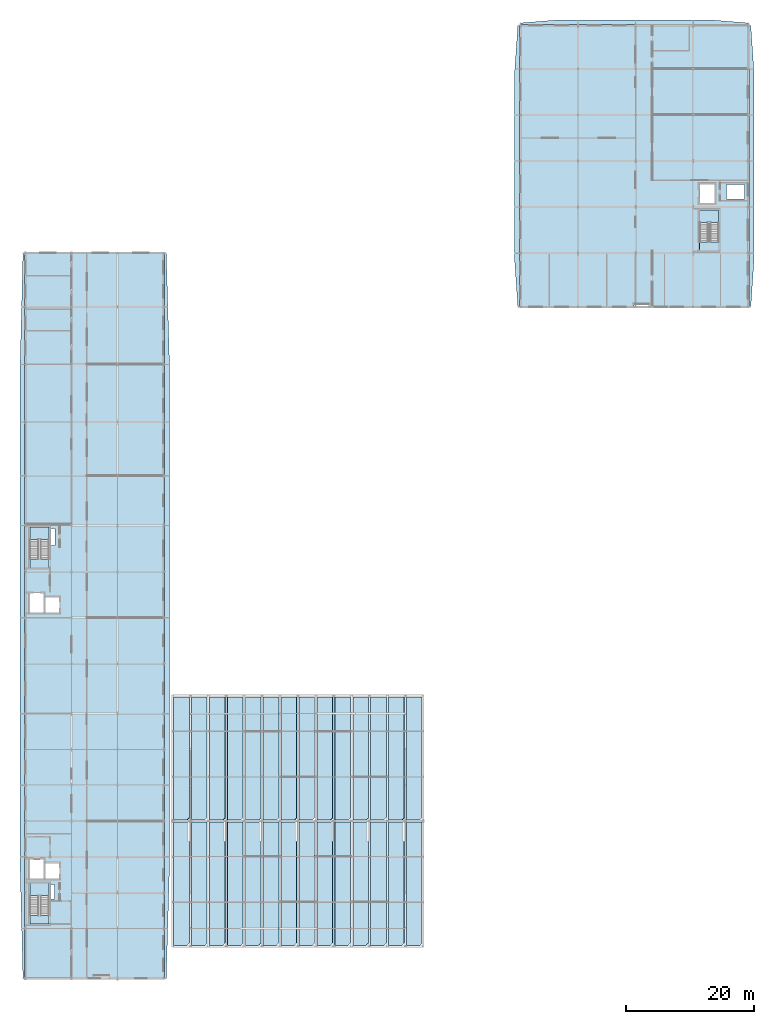
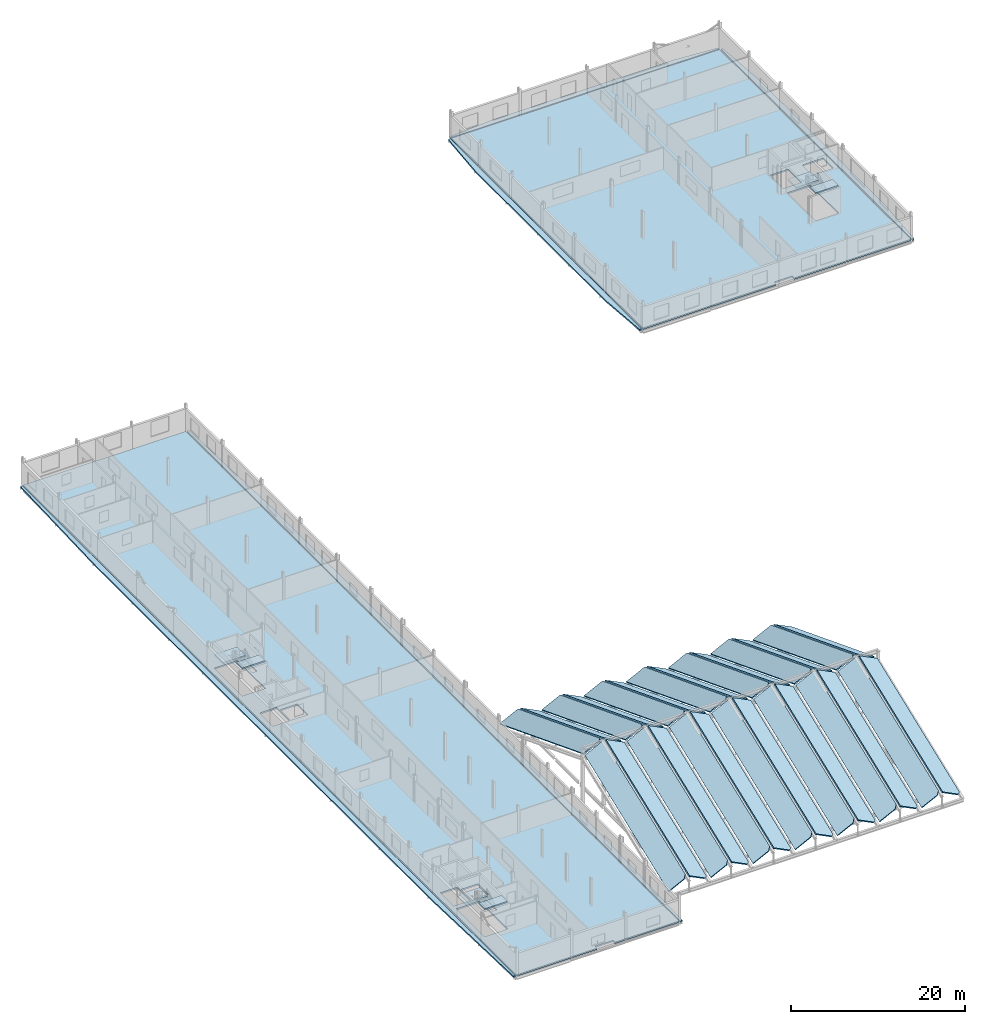
# One storey, part 29 of 49: 41 slabs, 3 elements without a shape of their own.
"""IFC4 building model written with IfcOpenShell, lengths in metres."""

from ifc_helpers import new_model, si_unit, direction, frame, origin, place, context, subcontext, project, spatial, polyline, outline, extrude, material, layer, layer_set, type_object, element, aggregate, save


model = new_model("IFC4")

# Units and contexts
model_context = context("Model", 3, precision=1e-05, world=origin(), true_north=direction((0.0, 1.0)))
body_context = subcontext(model_context, "Body", "Model", "MODEL_VIEW")
ifc_project = project(units=[si_unit("LENGTHUNIT", "METRE"), si_unit("AREAUNIT", "SQUARE_METRE"), si_unit("VOLUMEUNIT", "CUBIC_METRE"), si_unit("PLANEANGLEUNIT", "RADIAN"), si_unit("MASSUNIT", "GRAM", prefix="KILO")], contexts=[model_context])

# Site, building, storey
site_placement = place(None, origin())
site = spatial("IfcSite", under=ifc_project, at=site_placement, CompositionType="ELEMENT")
building_placement = place(site_placement, origin())
building = spatial("IfcBuilding", under=site, at=building_placement, Name="Vinh Khe Railworks Police Headquarters", CompositionType="ELEMENT")
storey_placement = place(building_placement, frame((0.0, 0.0, 17.10009765625)))
storey = spatial("IfcBuildingStorey", under=building, at=storey_placement, Name="L04", CompositionType="ELEMENT", Elevation=17.10009765625)

# Slabs
ifc_material_1 = material(Name="Concrete C35/45 (B35)", Category="concrete")
ifc_layer_1 = layer(ifc_material_1, 0.199951171875)
ifc_layer_set_1 = layer_set([ifc_layer_1], Name="Concrete C35/45 (B35)")
slab_type_1 = type_object("IfcSlabType", Name="Flat Structural Roof Slab 200", PredefinedType="ROOF", material=ifc_layer_set_1)
slab_1_placement = place(storey_placement, frame((0.0, 0.0, -0.239990234375)))
element("IfcSlab", 1, at=slab_1_placement, inside=storey, type_object=slab_type_1, Name="Monsoon Window Eyebrow Hood V5W (L04)", PredefinedType="ROOF", context=body_context, shape_type="SweptSolid", body=[
    extrude(outline(polyline([(0.4599609375, 17.39990234375), (0.4599609375, 130.800048828125), (0.21142578125, 130.800048828125), (-0.25, 112.656005859375), (-0.25, 35.5439453125), (0.21142578125, 17.39990234375), (0.4599609375, 17.39990234375)])), origin(), (0.0, 0.0, 1.0), 0.199951171875),
])
slab_2_placement = place(storey_placement, frame((0.0, 0.0, -0.239990234375)))
element("IfcSlab", 2, at=slab_2_placement, inside=storey, type_object=slab_type_1, Name="Monsoon Window Eyebrow Hood V5E (L04)", PredefinedType="ROOF", context=body_context, shape_type="SweptSolid", body=[
    extrude(outline(polyline([(22.340087890625, 17.39990234375), (22.62353515625, 17.39990234375), (23.14990234375, 35.5439453125), (23.14990234375, 112.656005859375), (22.62353515625, 130.800048828125), (22.340087890625, 130.800048828125), (22.340087890625, 17.39990234375)])), origin(), (0.0, 0.0, 1.0), 0.199951171875),
])
slab_3_placement = place(storey_placement, frame((0.0, 0.0, -0.239990234375)))
element("IfcSlab", 3, at=slab_3_placement, inside=storey, type_object=slab_type_1, Name="Monsoon Window Eyebrow Hood V6W (L04)", PredefinedType="ROOF", context=body_context, shape_type="SweptSolid", body=[
    extrude(outline(polyline([(77.85009765625, 122.39990234375), (77.85009765625, 166.39990234375), (77.58740234375, 166.39990234375), (77.10009765625, 159.360107421875), (77.10009765625, 129.43994140625), (77.58740234375, 122.39990234375), (77.85009765625, 122.39990234375)])), origin(), (0.0, 0.0, 1.0), 0.199951171875),
])
slab_4_placement = place(storey_placement, frame((0.0, 0.0, -0.239990234375)))
element("IfcSlab", 4, at=slab_4_placement, inside=storey, type_object=slab_type_1, Name="Monsoon Window Eyebrow Hood V6E (L04)", PredefinedType="ROOF", context=body_context, shape_type="SweptSolid", body=[
    extrude(outline(polyline([(113.760009765625, 122.39990234375), (114.01904296875, 122.39990234375), (114.5, 129.43994140625), (114.5, 159.360107421875), (114.01904296875, 166.39990234375), (113.760009765625, 166.39990234375), (113.760009765625, 122.39990234375)])), origin(), (0.0, 0.0, 1.0), 0.199951171875),
])
slab_5_placement = place(storey_placement, frame((0.0, 0.0, -0.239990234375)))
element("IfcSlab", 5, at=slab_5_placement, inside=storey, type_object=slab_type_1, Name="Monsoon Window Eyebrow Hood V6N (L04)", PredefinedType="ROOF", context=body_context, shape_type="SweptSolid", body=[
    extrude(outline(polyline([(78.0, 166.5400390625), (113.60009765625, 166.5400390625), (113.60009765625, 166.78857421875), (107.904052734375, 167.25), (83.696044921875, 167.25), (78.0, 166.78857421875), (78.0, 166.5400390625)])), origin(), (0.0, 0.0, 1.0), 0.199951171875),
])
ifc_layer_2 = layer(ifc_material_1, 0.169921875)
ifc_layer_set_2 = layer_set([ifc_layer_2], Name="Concrete C35/45 (B35)")
slab_type_2 = type_object("IfcSlabType", Name="Folded-Plate Roof Deck 170", PredefinedType="ROOF", material=ifc_layer_set_2)
slab_6_placement = place(storey_placement, frame((23.780029296875, 22.580078125, 0.459716796875), z_axis=(-0.422534733585, -0.327673405072, 0.845041146053), x_axis=(0.894424082903, -1.8615315e-05, 0.447219811251)))
element("IfcSlab", 6, at=slab_6_placement, inside=storey, type_object=slab_type_2, Name="Folded-Plate Roof Curb Facet 1WS", PredefinedType="ROOF", context=body_context, shape_type="SweptSolid", body=[
    extrude(outline(polyline([(0.0, 0.0), (2.336734708469895, 5.551115123125783e-17), (2.7886375050462866, 0.3703644884770621), (6.064039955182693, 20.364372018803643), (3.3361025329755076, 20.364330252961917), (0.0, 0.0)])), origin(), (0.0, 0.0, -1.0), 0.169921875),
])
slab_7_placement = place(storey_placement, frame((23.780029296875, 42.179931640625, 7.920166015625), z_axis=(-0.422525022264, 0.327670634499, 0.845047076113), x_axis=(0.894428873537, 1.4900019e-05, 0.447210230162)))
element("IfcSlab", 7, at=slab_7_placement, inside=storey, type_object=slab_type_2, Name="Folded-Plate Roof Curb Facet 1WN", PredefinedType="ROOF", context=body_context, shape_type="SweptSolid", body=[
    extrude(outline(polyline([(0.0, 0.0), (2.336734709824838, 0.0), (2.667237343970833, 0.3705116190431494), (-0.6081651135810442, 20.364288486966498), (-3.3361025360046352, 20.36433025245506), (0.0, 0.0)])), origin(), (0.0, 0.0, -1.0), 0.169921875),
])
slab_8_placement = place(storey_placement, frame((26.580078125, 22.580078125, 1.6796875), z_axis=(0.422511523843, -0.32767498324, 0.84505213897), x_axis=(0.894432687958, -4.263057e-06, -0.447202601395)))
element("IfcSlab", 8, at=slab_8_placement, inside=storey, type_object=slab_type_2, Name="Folded-Plate Roof Curb Facet 1ES", PredefinedType="ROOF", context=body_context, shape_type="SweptSolid", body=[
    extrude(outline(polyline([(0.0, 0.0), (2.3365163434787983, 0.0), (2.667231671700271, 0.37032179336651183), (-0.6084768968633005, 20.364279173440327), (-3.3364143193781493, 20.364279173440327), (0.0, 0.0)])), origin(), (0.0, 0.0, -1.0), 0.169921875),
])
slab_9_placement = place(storey_placement, frame((26.580078125, 42.179931640625, 9.14013671875), z_axis=(0.422521895758, 0.327673494865, 0.845047530242), x_axis=(0.894427897462, 5.47873e-07, -0.447212182574)))
element("IfcSlab", 9, at=slab_9_placement, inside=storey, type_object=slab_type_2, Name="Folded-Plate Roof Curb Facet 1EN", PredefinedType="ROOF", context=body_context, shape_type="SweptSolid", body=[
    extrude(outline(polyline([(0.0, 0.0), (2.336516343673272, -5.551115123125783e-17), (2.7886431744901437, 0.3705524551267921), (6.064351741909699, 20.364279173475413), (3.3364143191677975, 20.364279173475413), (0.0, 0.0)])), origin(), (0.0, 0.0, -1.0), 0.169921875),
])
slab_10_placement = place(storey_placement, frame((29.3798828125, 22.580078125, 0.459716796875), z_axis=(-0.422500594696, -0.327677159929, 0.845056759243), x_axis=(0.894439934623, -6.321985e-06, 0.447188107301)))
element("IfcSlab", 10, at=slab_10_placement, inside=storey, type_object=slab_type_2, Name="Folded-Plate Roof Curb Facet 2WS", PredefinedType="ROOF", context=body_context, shape_type="SweptSolid", body=[
    extrude(outline(polyline([(0.0, 0.0), (2.336734711805828, 5.551115123125783e-17), (2.7888558708485034, 0.37032871581050153), (6.0642583215212715, 20.36433624625532), (3.336102530813015, 20.36433025336926), (0.0, 0.0)])), origin(), (0.0, 0.0, -1.0), 0.169921875),
])
slab_11_placement = place(storey_placement, frame((29.3798828125, 42.179931640625, 7.920166015625), z_axis=(-0.422490247383, 0.327678493766, 0.845061415277), x_axis=(0.894444724533, 2.60706e-06, 0.447178526707)))
element("IfcSlab", 11, at=slab_11_placement, inside=storey, type_object=slab_type_2, Name="Folded-Plate Roof Curb Facet 2WN", PredefinedType="ROOF", context=body_context, shape_type="SweptSolid", body=[
    extrude(outline(polyline([(0.0, 0.0), (2.336734712166774, 0.0), (2.6674557122412703, 0.3705473915633331), (-0.6079467394623981, 20.36432426052611), (-3.336102530396164, 20.364330253436563), (0.0, 0.0)])), origin(), (0.0, 0.0, -1.0), 0.169921875),
])
slab_12_placement = place(storey_placement, frame((32.179931640625, 22.580078125, 1.6796875), z_axis=(0.422476804857, -0.327680499449, 0.845067358048), x_axis=(0.894450927048, -2.203628e-06, -0.447166120248)))
element("IfcSlab", 12, at=slab_12_placement, inside=storey, type_object=slab_type_2, Name="Folded-Plate Roof Curb Facet 2ES", PredefinedType="ROOF", context=body_context, shape_type="SweptSolid", body=[
    extrude(outline(polyline([(0.0, 0.0), (2.3367347121878934, -5.551115123125783e-17), (2.6674557124195477, 0.3703167302295521), (-0.6079467395234479, 20.364324260514227), (-3.336102530228193, 20.36433025346136), (0.0, 0.0)])), origin(), (0.0, 0.0, -1.0), 0.169921875),
])
slab_13_placement = place(storey_placement, frame((32.179931640625, 42.179931640625, 9.14013671875), z_axis=(0.42248706963, 0.327679698854, 0.845062536712), x_axis=(0.894446137256, -1.511372e-06, -0.447175700978)))
element("IfcSlab", 13, at=slab_13_placement, inside=storey, type_object=slab_type_2, Name="Folded-Plate Roof Curb Facet 2EN", PredefinedType="ROOF", context=body_context, shape_type="SweptSolid", body=[
    extrude(outline(polyline([(0.0, 0.0), (2.336734712215877, 0.0), (2.7888558696533443, 0.37055937739512657), (6.0642583211684356, 20.364336246394956), (3.3361025302351206, 20.364330253462466), (0.0, 0.0)])), origin(), (0.0, 0.0, -1.0), 0.169921875),
])
slab_14_placement = place(storey_placement, frame((34.97998046875, 22.580078125, 0.459716796875), z_axis=(-0.422534733585, -0.327673405072, 0.845041146053), x_axis=(0.894424082903, -1.8615315e-05, 0.447219811251)))
element("IfcSlab", 14, at=slab_14_placement, inside=storey, type_object=slab_type_2, Name="Folded-Plate Roof Curb Facet 3WS", PredefinedType="ROOF", context=body_context, shape_type="SweptSolid", body=[
    extrude(outline(polyline([(0.0, 0.0), (2.336734708469895, 5.551115123125783e-17), (2.7886375050462866, 0.3703644884770621), (6.064039955182693, 20.364372018803643), (3.3361025329755076, 20.364330252961917), (0.0, 0.0)])), origin(), (0.0, 0.0, -1.0), 0.169921875),
])
slab_15_placement = place(storey_placement, frame((34.97998046875, 42.179931640625, 7.920166015625), z_axis=(-0.422525022264, 0.327670634499, 0.845047076113), x_axis=(0.894428873537, 1.4900019e-05, 0.447210230162)))
element("IfcSlab", 15, at=slab_15_placement, inside=storey, type_object=slab_type_2, Name="Folded-Plate Roof Curb Facet 3WN", PredefinedType="ROOF", context=body_context, shape_type="SweptSolid", body=[
    extrude(outline(polyline([(0.0, 0.0), (2.336734709824838, 0.0), (2.667237343970833, 0.3705116190431494), (-0.6081651135810442, 20.364288486966498), (-3.3361025360046352, 20.36433025245506), (0.0, 0.0)])), origin(), (0.0, 0.0, -1.0), 0.169921875),
])
slab_16_placement = place(storey_placement, frame((37.780029296875, 22.580078125, 1.6796875), z_axis=(0.422511579277, -0.327672640634, 0.845053019613), x_axis=(0.894435076886, 1.008928e-05, -0.447197823265)))
element("IfcSlab", 16, at=slab_16_placement, inside=storey, type_object=slab_type_2, Name="Folded-Plate Roof Curb Facet 3ES", PredefinedType="ROOF", context=body_context, shape_type="SweptSolid", body=[
    extrude(outline(polyline([(0.0, 0.0), (2.3367347111330394, 0.0), (2.667237341177416, 0.3702809568314849), (-0.6081651113823967, 20.36428848709527), (-3.3361025335651417, 20.36433025283951), (0.0, 0.0)])), origin(), (0.0, 0.0, -1.0), 0.169921875),
])
slab_17_placement = place(storey_placement, frame((37.780029296875, 42.179931640625, 9.14013671875), z_axis=(0.422521207736, 0.327675944209, 0.845046924496), x_axis=(0.894430286532, -1.380448e-05, -0.447207404169)))
element("IfcSlab", 17, at=slab_17_placement, inside=storey, type_object=slab_type_2, Name="Folded-Plate Roof Curb Facet 3EN", PredefinedType="ROOF", context=body_context, shape_type="SweptSolid", body=[
    extrude(outline(polyline([(0.0, 0.0), (2.3367347101671063, 0.0), (2.7886375008124875, 0.3705951506607209), (6.064039953414461, 20.36437201943792), (3.336102530994024, 20.364330253272584), (0.0, 0.0)])), origin(), (0.0, 0.0, -1.0), 0.169921875),
])
slab_18_placement = place(storey_placement, frame((40.580078125, 22.580078125, 0.459716796875), z_axis=(-0.422535421427, -0.327670955591, 0.845041751928), x_axis=(0.89442169395, -4.262952e-06, 0.447224589411)))
element("IfcSlab", 18, at=slab_18_placement, inside=storey, type_object=slab_type_2, Name="Folded-Plate Roof Curb Facet 4WS", PredefinedType="ROOF", context=body_context, shape_type="SweptSolid", body=[
    extrude(outline(polyline([(0.0, 0.0), (2.336516343478803, 0.0), (2.7886431751763383, 0.3703217930639213), (6.0643517420255, 20.36427917341862), (3.336414319510645, 20.36427917341862), (0.0, 0.0)])), origin(), (0.0, 0.0, -1.0), 0.169921875),
])
slab_19_placement = place(storey_placement, frame((40.580078125, 42.179931640625, 7.920166015625), z_axis=(-0.422524967021, 0.32767297724, 0.845046195323), x_axis=(0.894426484537, 5.47871e-07, 0.447215008423)))
element("IfcSlab", 19, at=slab_19_placement, inside=storey, type_object=slab_type_2, Name="Folded-Plate Roof Curb Facet 4WN", PredefinedType="ROOF", context=body_context, shape_type="SweptSolid", body=[
    extrude(outline(polyline([(0.0, 0.0), (2.336516343673272, 0.0), (2.667231671024165, 0.37055245513179), (-0.6084768964237073, 20.36427917347577), (-3.336414319165609, 20.36427917347577), (0.0, 0.0)])), origin(), (0.0, 0.0, -1.0), 0.169921875),
])
slab_20_placement = place(storey_placement, frame((43.3798828125, 22.580078125, 1.6796875), z_axis=(0.422476804857, -0.327680499449, 0.845067358048), x_axis=(0.894450927048, -2.203628e-06, -0.447166120248)))
element("IfcSlab", 20, at=slab_20_placement, inside=storey, type_object=slab_type_2, Name="Folded-Plate Roof Curb Facet 4ES", PredefinedType="ROOF", context=body_context, shape_type="SweptSolid", body=[
    extrude(outline(polyline([(0.0, 0.0), (2.3367347121878934, -5.551115123125783e-17), (2.6674557124195477, 0.3703167302295521), (-0.6079467395234479, 20.364324260514227), (-3.336102530228193, 20.36433025346136), (0.0, 0.0)])), origin(), (0.0, 0.0, -1.0), 0.169921875),
])
slab_21_placement = place(storey_placement, frame((43.3798828125, 42.179931640625, 9.14013671875), z_axis=(0.42248706963, 0.327679698854, 0.845062536712), x_axis=(0.894446137256, -1.511372e-06, -0.447175700978)))
element("IfcSlab", 21, at=slab_21_placement, inside=storey, type_object=slab_type_2, Name="Folded-Plate Roof Curb Facet 4EN", PredefinedType="ROOF", context=body_context, shape_type="SweptSolid", body=[
    extrude(outline(polyline([(0.0, 0.0), (2.336734712215877, 0.0), (2.7888558696533443, 0.37055937739512657), (6.0642583211684356, 20.364336246394956), (3.3361025302351206, 20.364330253462466), (0.0, 0.0)])), origin(), (0.0, 0.0, -1.0), 0.169921875),
])
slab_22_placement = place(storey_placement, frame((46.179931640625, 22.580078125, 0.459716796875), z_axis=(-0.422500594696, -0.327677159929, 0.845056759243), x_axis=(0.894439934623, -6.321985e-06, 0.447188107301)))
element("IfcSlab", 22, at=slab_22_placement, inside=storey, type_object=slab_type_2, Name="Folded-Plate Roof Curb Facet 5WS", PredefinedType="ROOF", context=body_context, shape_type="SweptSolid", body=[
    extrude(outline(polyline([(0.0, 0.0), (2.336734711805828, 5.551115123125783e-17), (2.7888558708485034, 0.37032871581050153), (6.0642583215212715, 20.36433624625532), (3.336102530813015, 20.36433025336926), (0.0, 0.0)])), origin(), (0.0, 0.0, -1.0), 0.169921875),
])
slab_23_placement = place(storey_placement, frame((46.179931640625, 42.179931640625, 7.920166015625), z_axis=(-0.422490247383, 0.327678493766, 0.845061415277), x_axis=(0.894444724533, 2.60706e-06, 0.447178526707)))
element("IfcSlab", 23, at=slab_23_placement, inside=storey, type_object=slab_type_2, Name="Folded-Plate Roof Curb Facet 5WN", PredefinedType="ROOF", context=body_context, shape_type="SweptSolid", body=[
    extrude(outline(polyline([(0.0, 0.0), (2.336734712166774, 0.0), (2.6674557122412703, 0.3705473915633331), (-0.6079467394623981, 20.36432426052611), (-3.336102530396164, 20.364330253436563), (0.0, 0.0)])), origin(), (0.0, 0.0, -1.0), 0.169921875),
])
slab_24_placement = place(storey_placement, frame((48.97998046875, 22.580078125, 1.6796875), z_axis=(0.422511579277, -0.327672640634, 0.845053019613), x_axis=(0.894435076886, 1.008928e-05, -0.447197823265)))
element("IfcSlab", 24, at=slab_24_placement, inside=storey, type_object=slab_type_2, Name="Folded-Plate Roof Curb Facet 5ES", PredefinedType="ROOF", context=body_context, shape_type="SweptSolid", body=[
    extrude(outline(polyline([(0.0, 0.0), (2.3367347111330394, 0.0), (2.667237341177416, 0.3702809568314849), (-0.6081651113823967, 20.36428848709527), (-3.3361025335651417, 20.36433025283951), (0.0, 0.0)])), origin(), (0.0, 0.0, -1.0), 0.169921875),
])
slab_25_placement = place(storey_placement, frame((48.97998046875, 42.179931640625, 9.14013671875), z_axis=(0.422521207736, 0.327675944209, 0.845046924496), x_axis=(0.894430286532, -1.380448e-05, -0.447207404169)))
element("IfcSlab", 25, at=slab_25_placement, inside=storey, type_object=slab_type_2, Name="Folded-Plate Roof Curb Facet 5EN", PredefinedType="ROOF", context=body_context, shape_type="SweptSolid", body=[
    extrude(outline(polyline([(0.0, 0.0), (2.3367347101671063, 0.0), (2.7886375008124875, 0.3705951506607209), (6.064039953414461, 20.36437201943792), (3.336102530994024, 20.364330253272584), (0.0, 0.0)])), origin(), (0.0, 0.0, -1.0), 0.169921875),
])
slab_26_placement = place(storey_placement, frame((51.780029296875, 22.580078125, 0.459716796875), z_axis=(-0.422534733585, -0.327673405072, 0.845041146053), x_axis=(0.894424082903, -1.8615315e-05, 0.447219811251)))
element("IfcSlab", 26, at=slab_26_placement, inside=storey, type_object=slab_type_2, Name="Folded-Plate Roof Curb Facet 6WS", PredefinedType="ROOF", context=body_context, shape_type="SweptSolid", body=[
    extrude(outline(polyline([(0.0, 0.0), (2.336734708469895, 5.551115123125783e-17), (2.7886375050462866, 0.3703644884770621), (6.064039955182693, 20.364372018803643), (3.3361025329755076, 20.364330252961917), (0.0, 0.0)])), origin(), (0.0, 0.0, -1.0), 0.169921875),
])
slab_27_placement = place(storey_placement, frame((51.780029296875, 42.179931640625, 7.920166015625), z_axis=(-0.422525022264, 0.327670634499, 0.845047076113), x_axis=(0.894428873537, 1.4900019e-05, 0.447210230162)))
element("IfcSlab", 27, at=slab_27_placement, inside=storey, type_object=slab_type_2, Name="Folded-Plate Roof Curb Facet 6WN", PredefinedType="ROOF", context=body_context, shape_type="SweptSolid", body=[
    extrude(outline(polyline([(0.0, 0.0), (2.336734709824838, 0.0), (2.667237343970833, 0.3705116190431494), (-0.6081651135810442, 20.364288486966498), (-3.3361025360046352, 20.36433025245506), (0.0, 0.0)])), origin(), (0.0, 0.0, -1.0), 0.169921875),
])
slab_28_placement = place(storey_placement, frame((54.580078125, 22.580078125, 1.6796875), z_axis=(0.422511523843, -0.32767498324, 0.84505213897), x_axis=(0.894432687958, -4.263057e-06, -0.447202601395)))
element("IfcSlab", 28, at=slab_28_placement, inside=storey, type_object=slab_type_2, Name="Folded-Plate Roof Curb Facet 6ES", PredefinedType="ROOF", context=body_context, shape_type="SweptSolid", body=[
    extrude(outline(polyline([(0.0, 0.0), (2.3365163434787983, 0.0), (2.667231671700271, 0.37032179336651183), (-0.6084768968633005, 20.364279173440327), (-3.3364143193781493, 20.364279173440327), (0.0, 0.0)])), origin(), (0.0, 0.0, -1.0), 0.169921875),
])
slab_29_placement = place(storey_placement, frame((54.580078125, 42.179931640625, 9.14013671875), z_axis=(0.422521895758, 0.327673494865, 0.845047530242), x_axis=(0.894427897462, 5.47873e-07, -0.447212182574)))
element("IfcSlab", 29, at=slab_29_placement, inside=storey, type_object=slab_type_2, Name="Folded-Plate Roof Curb Facet 6EN", PredefinedType="ROOF", context=body_context, shape_type="SweptSolid", body=[
    extrude(outline(polyline([(0.0, 0.0), (2.336516343673272, -5.551115123125783e-17), (2.7886431744901437, 0.3705524551267921), (6.064351741909699, 20.364279173475413), (3.3364143191677975, 20.364279173475413), (0.0, 0.0)])), origin(), (0.0, 0.0, -1.0), 0.169921875),
])
slab_30_placement = place(storey_placement, frame((57.3798828125, 22.580078125, 0.459716796875), z_axis=(-0.422500594696, -0.327677159929, 0.845056759243), x_axis=(0.894439934623, -6.321985e-06, 0.447188107301)))
element("IfcSlab", 30, at=slab_30_placement, inside=storey, type_object=slab_type_2, Name="Folded-Plate Roof Curb Facet 7WS", PredefinedType="ROOF", context=body_context, shape_type="SweptSolid", body=[
    extrude(outline(polyline([(0.0, 0.0), (2.336734711805828, 5.551115123125783e-17), (2.7888558708485034, 0.37032871581050153), (6.0642583215212715, 20.36433624625532), (3.336102530813015, 20.36433025336926), (0.0, 0.0)])), origin(), (0.0, 0.0, -1.0), 0.169921875),
])
slab_31_placement = place(storey_placement, frame((57.3798828125, 42.179931640625, 7.920166015625), z_axis=(-0.422490247383, 0.327678493766, 0.845061415277), x_axis=(0.894444724533, 2.60706e-06, 0.447178526707)))
element("IfcSlab", 31, at=slab_31_placement, inside=storey, type_object=slab_type_2, Name="Folded-Plate Roof Curb Facet 7WN", PredefinedType="ROOF", context=body_context, shape_type="SweptSolid", body=[
    extrude(outline(polyline([(0.0, 0.0), (2.336734712166774, 0.0), (2.6674557122412703, 0.3705473915633331), (-0.6079467394623981, 20.36432426052611), (-3.336102530396164, 20.364330253436563), (0.0, 0.0)])), origin(), (0.0, 0.0, -1.0), 0.169921875),
])
slab_32_placement = place(storey_placement, frame((60.179931640625, 22.580078125, 1.6796875), z_axis=(0.422476804857, -0.327680499449, 0.845067358048), x_axis=(0.894450927048, -2.203628e-06, -0.447166120248)))
element("IfcSlab", 32, at=slab_32_placement, inside=storey, type_object=slab_type_2, Name="Folded-Plate Roof Curb Facet 7ES", PredefinedType="ROOF", context=body_context, shape_type="SweptSolid", body=[
    extrude(outline(polyline([(0.0, 0.0), (2.3367347121878934, -5.551115123125783e-17), (2.6674557124195477, 0.3703167302295521), (-0.6079467395234479, 20.364324260514227), (-3.336102530228193, 20.36433025346136), (0.0, 0.0)])), origin(), (0.0, 0.0, -1.0), 0.169921875),
])
slab_33_placement = place(storey_placement, frame((60.179931640625, 42.179931640625, 9.14013671875), z_axis=(0.42248706963, 0.327679698854, 0.845062536712), x_axis=(0.894446137256, -1.511372e-06, -0.447175700978)))
element("IfcSlab", 33, at=slab_33_placement, inside=storey, type_object=slab_type_2, Name="Folded-Plate Roof Curb Facet 7EN", PredefinedType="ROOF", context=body_context, shape_type="SweptSolid", body=[
    extrude(outline(polyline([(0.0, 0.0), (2.336734712215877, 0.0), (2.7888558696533443, 0.37055937739512657), (6.0642583211684356, 20.364336246394956), (3.3361025302351206, 20.364330253462466), (0.0, 0.0)])), origin(), (0.0, 0.0, -1.0), 0.169921875),
])

# Stair, slabs
ifc_material_2 = material(Name="Precast concrete C40/50 (B40)", Category="concrete")
stair_type = type_object("IfcStairType", Name="ST-CORE-DOGLEG", PredefinedType="HALF_TURN_STAIR", material=ifc_material_2)
stair_1_placement = place(storey_placement, origin())
stair_1 = element("IfcStair", 34, at=stair_1_placement, inside=storey, type_object=stair_type, Name="L04 Escape Stair ST-01", PredefinedType="HALF_TURN_STAIR")
ifc_layer_3 = layer(ifc_material_1, 0.199951171875)
ifc_layer_set_3 = layer_set([ifc_layer_3], Name="Concrete C35/45 (B35)")
slab_type_3 = type_object("IfcSlabType", Name="SLB-LAND-200", PredefinedType="LANDING", material=ifc_layer_set_3)
slab_34_placement = place(storey_placement, frame((0.0, 0.0, 1.75)))
slab_34 = element("IfcSlab", 35, at=slab_34_placement, type_object=slab_type_3, Name="ST-01 landing 1", PredefinedType="LANDING", context=body_context, shape_type="SweptSolid", body=[
    extrude(outline(polyline([(4.300048828125, 30.330078125), (4.300048828125, 32.300048828125), (1.300048828125, 32.300048828125), (1.300048828125, 30.330078125), (4.300048828125, 30.330078125)])), origin(), (0.0, 0.0, 1.0), 0.199951171875),
])
slab_35_placement = place(storey_placement, frame((0.0, 0.0, 3.699951171875)))
slab_35 = element("IfcSlab", 36, at=slab_35_placement, type_object=slab_type_3, Name="ST-01 landing 2", PredefinedType="LANDING", context=body_context, shape_type="SweptSolid", body=[
    extrude(outline(polyline([(1.280029296875, 25.8798828125), (4.320068359375, 25.8798828125), (4.320068359375, 27.260009765625), (1.280029296875, 27.260009765625), (1.280029296875, 25.8798828125)])), origin(), (0.0, 0.0, 1.0), 0.199951171875),
])
aggregate(stair_1, [slab_34, slab_35])

stair_2_placement = place(storey_placement, origin())
stair_2 = element("IfcStair", 37, at=stair_2_placement, inside=storey, type_object=stair_type, Name="L04 Escape Stair ST-02", PredefinedType="HALF_TURN_STAIR")
slab_36_placement = place(storey_placement, frame((0.0, 0.0, 1.75)))
slab_36 = element("IfcSlab", 38, at=slab_36_placement, type_object=slab_type_3, Name="ST-02 landing 1", PredefinedType="LANDING", context=body_context, shape_type="SweptSolid", body=[
    extrude(outline(polyline([(4.300048828125, 86.030029296875), (4.300048828125, 88.0), (1.300048828125, 88.0), (1.300048828125, 86.030029296875), (4.300048828125, 86.030029296875)])), origin(), (0.0, 0.0, 1.0), 0.199951171875),
])
slab_37_placement = place(storey_placement, frame((0.0, 0.0, 3.699951171875)))
slab_37 = element("IfcSlab", 39, at=slab_37_placement, type_object=slab_type_3, Name="ST-02 landing 2", PredefinedType="LANDING", context=body_context, shape_type="SweptSolid", body=[
    extrude(outline(polyline([(1.280029296875, 81.580078125), (4.320068359375, 81.580078125), (4.320068359375, 82.9599609375), (1.280029296875, 82.9599609375), (1.280029296875, 81.580078125)])), origin(), (0.0, 0.0, 1.0), 0.199951171875),
])
aggregate(stair_2, [slab_36, slab_37])

stair_3_placement = place(storey_placement, origin())
stair_3 = element("IfcStair", 40, at=stair_3_placement, inside=storey, type_object=stair_type, Name="L04 Escape Stair ST-03", PredefinedType="HALF_TURN_STAIR")
slab_38_placement = place(storey_placement, frame((0.0, 0.0, 1.75)))
slab_38 = element("IfcSlab", 41, at=slab_38_placement, type_object=slab_type_3, Name="ST-03 landing 1", PredefinedType="LANDING", context=body_context, shape_type="SweptSolid", body=[
    extrude(outline(polyline([(109.0, 135.580078125), (109.0, 137.550048828125), (106.0, 137.550048828125), (106.0, 135.580078125), (109.0, 135.580078125)])), origin(), (0.0, 0.0, 1.0), 0.199951171875),
])
slab_39_placement = place(storey_placement, frame((0.0, 0.0, 3.699951171875)))
slab_39 = element("IfcSlab", 42, at=slab_39_placement, type_object=slab_type_3, Name="ST-03 landing 2", PredefinedType="LANDING", context=body_context, shape_type="SweptSolid", body=[
    extrude(outline(polyline([(105.97998046875, 131.1298828125), (109.02001953125, 131.1298828125), (109.02001953125, 132.510009765625), (105.97998046875, 132.510009765625), (105.97998046875, 131.1298828125)])), origin(), (0.0, 0.0, 1.0), 0.199951171875),
])
aggregate(stair_3, [slab_38, slab_39])

# Slabs
ifc_layer_4 = layer(ifc_material_1, 0.199951171875)
ifc_layer_set_4 = layer_set([ifc_layer_4], Name="Concrete C35/45 (B35)")
slab_type_4 = type_object("IfcSlabType", Name="Suspended Floor Slab 200", PredefinedType="FLOOR", material=ifc_layer_set_4)
slab_40_placement = place(storey_placement, frame((0.0, 0.0, -0.2001953125)))
element("IfcSlab", 43, at=slab_40_placement, inside=storey, type_object=slab_type_4, Name="V5 Floor Slab (L04)", PredefinedType="FLOOR", context=body_context, shape_type="SweptSolid", body=[
    extrude(outline(polyline([(0.60009765625, 17.39990234375), (11.300048828125, 17.39990234375), (11.300048828125, 17.85009765625), (13.699951171875, 17.85009765625), (13.699951171875, 17.39990234375), (22.199951171875, 17.39990234375), (22.199951171875, 130.800048828125), (0.60009765625, 130.800048828125), (0.60009765625, 17.39990234375)]), holes=[polyline([(1.27001953125, 25.8701171875), (4.330078125, 25.8701171875), (4.330078125, 32.330078125), (1.27001953125, 32.330078125), (1.27001953125, 25.8701171875)]), polyline([(1.280029296875, 32.97998046875), (3.52001953125, 32.97998046875), (3.52001953125, 36.02001953125), (1.280029296875, 36.02001953125), (1.280029296875, 32.97998046875)]), polyline([(3.679931640625, 32.97998046875), (5.919921875, 32.97998046875), (5.919921875, 35.419921875), (3.679931640625, 35.419921875), (3.679931640625, 32.97998046875)]), polyline([(1.27001953125, 81.570068359375), (4.330078125, 81.570068359375), (4.330078125, 88.030029296875), (1.27001953125, 88.030029296875), (1.27001953125, 81.570068359375)]), polyline([(1.280029296875, 74.580078125), (3.52001953125, 74.580078125), (3.52001953125, 77.6201171875), (1.280029296875, 77.6201171875), (1.280029296875, 74.580078125)]), polyline([(3.679931640625, 74.580078125), (5.919921875, 74.580078125), (5.919921875, 77.02001953125), (3.679931640625, 77.02001953125), (3.679931640625, 74.580078125)]), polyline([(4.60009765625, 29.85009765625), (5.179931640625, 29.85009765625), (5.179931640625, 32.050048828125), (4.60009765625, 32.050048828125), (4.60009765625, 29.85009765625)]), polyline([(4.60009765625, 85.050048828125), (5.219970703125, 85.050048828125), (5.219970703125, 87.75), (4.60009765625, 87.75), (4.60009765625, 85.050048828125)])]), origin(), (0.0, 0.0, 1.0), 0.2001953125),
])
slab_41_placement = place(storey_placement, frame((0.0, 0.0, -0.2001953125)))
element("IfcSlab", 44, at=slab_41_placement, inside=storey, type_object=slab_type_4, Name="V6B Floor Slab (L04)", PredefinedType="FLOOR", context=body_context, shape_type="SweptSolid", body=[
    extrude(outline(polyline([(78.0, 122.39990234375), (95.699951171875, 122.39990234375), (95.699951171875, 122.85009765625), (98.10009765625, 122.85009765625), (98.10009765625, 122.39990234375), (113.60009765625, 122.39990234375), (113.60009765625, 166.39990234375), (78.0, 166.39990234375), (78.0, 122.39990234375)]), holes=[polyline([(105.969970703125, 131.1201171875), (109.030029296875, 131.1201171875), (109.030029296875, 137.580078125), (105.969970703125, 137.580078125), (105.969970703125, 131.1201171875)]), polyline([(105.97998046875, 138.580078125), (108.419921875, 138.580078125), (108.419921875, 141.6201171875), (105.97998046875, 141.6201171875), (105.97998046875, 138.580078125)]), polyline([(110.199951171875, 139.25), (113.0, 139.25), (113.0, 141.550048828125), (110.199951171875, 141.550048828125), (110.199951171875, 139.25)])]), origin(), (0.0, 0.0, 1.0), 0.2001953125),
])

save(model, "model.ifc")
